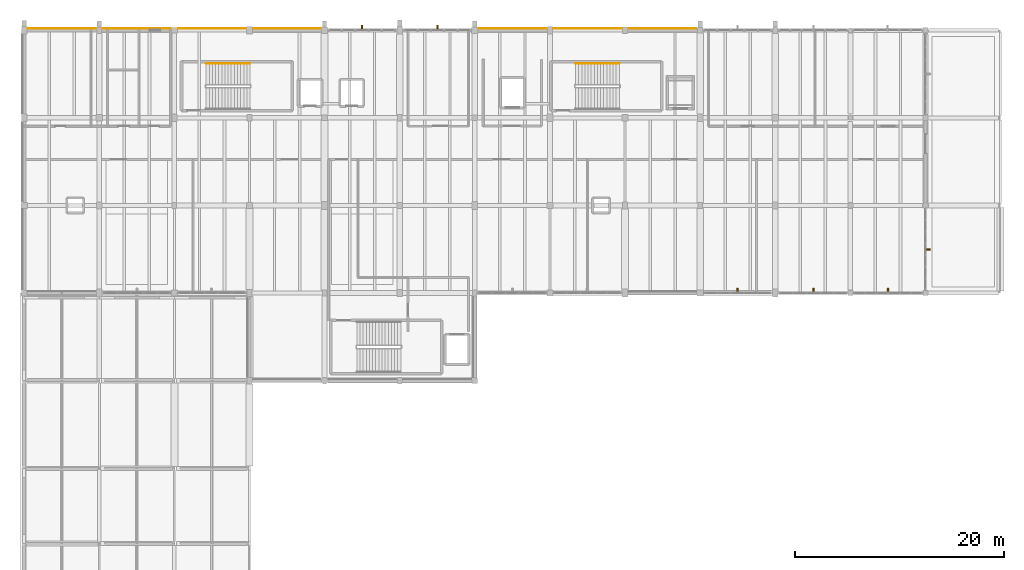
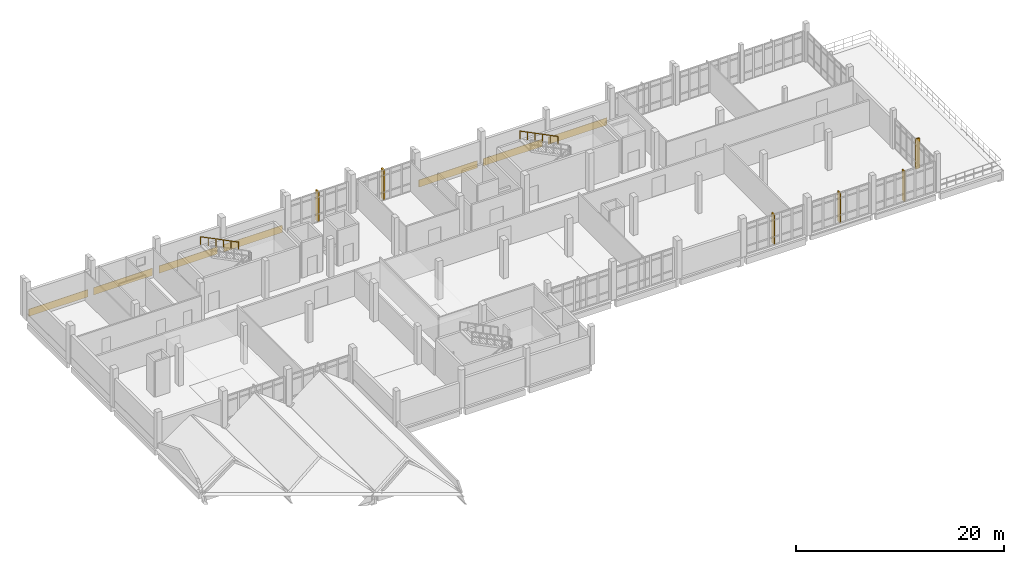
# One storey, part 40 of 41: 7 coverings, 6 shading devices, 2 railings.
"""IFC4 building model written with IfcOpenShell, lengths in metres."""

from ifc_helpers import new_model, si_unit, direction, frame, origin, origin_2d, place, context, subcontext, project, spatial, rectangle, circle, extrude, material, layer, layer_set, type_object, element, save


model = new_model("IFC4")

# Units and contexts
model_context = context("Model", 3, precision=1e-05, world=origin(), true_north=direction((0.0, 1.0)))
body_context = subcontext(model_context, "Body", "Model", "MODEL_VIEW")
ifc_project = project(units=[si_unit("LENGTHUNIT", "METRE"), si_unit("AREAUNIT", "SQUARE_METRE"), si_unit("VOLUMEUNIT", "CUBIC_METRE"), si_unit("PLANEANGLEUNIT", "RADIAN"), si_unit("MASSUNIT", "GRAM", prefix="KILO")], contexts=[model_context])

# Site, building, storey
site_placement = place(None, origin())
site = spatial("IfcSite", under=ifc_project, at=site_placement, CompositionType="ELEMENT")
building_placement = place(site_placement, origin())
building = spatial("IfcBuilding", under=site, at=building_placement, Name="Kalluvel Institute of Natural Sciences", CompositionType="ELEMENT")
storey_placement = place(building_placement, frame((0.0, 0.0, 32.39990234375)))
storey = spatial("IfcBuildingStorey", under=building, at=storey_placement, Name="L07", CompositionType="ELEMENT", Elevation=32.39990234375)

# Coverings
ifc_material_1 = material(Name="Sadarahalli Grey Granite Ashlar Concrete M40", Category="masonry")
ifc_layer = layer(ifc_material_1, 0.044921875)
ifc_layer_set = layer_set([ifc_layer], Name="Sadarahalli Grey Granite Ashlar Concrete M40")
covering_type = type_object("IfcCoveringType", Name="COV-CLAD-STONE", PredefinedType="CLADDING", material=ifc_layer_set)
covering_1_placement = place(storey_placement, frame((17.612548828125, 128.179931640625, 0.025146484375), z_axis=(0.0, 0.0, 1.0), x_axis=(1.0, 0.0, 0.0)))
element("IfcCovering", 1, at=covering_1_placement, inside=storey, type_object=covering_type, Name="L07 Sadarahalli granite plinth spandrel cladding 83", PredefinedType="CLADDING", context=body_context, shape_type="SweptSolid", body=[
    extrude(rectangle(XDim=6.56494140625, YDim=0.044921875, at=origin_2d()), origin(), (0.0, 0.0, 1.0), 0.85009765625),
])
covering_2_placement = place(storey_placement, frame((24.77490234375, 128.179931640625, 0.025146484375), z_axis=(0.0, 0.0, 1.0), x_axis=(1.0, 0.0, 0.0)))
element("IfcCovering", 2, at=covering_2_placement, inside=storey, type_object=covering_type, Name="L07 Sadarahalli granite plinth spandrel cladding 84", PredefinedType="CLADDING", context=body_context, shape_type="SweptSolid", body=[
    extrude(rectangle(XDim=6.5400390625, YDim=0.044921875, at=origin_2d()), origin(), (0.0, 0.0, 1.0), 0.85009765625),
])
covering_3_placement = place(storey_placement, frame((32.0, 128.179931640625, 0.025146484375), z_axis=(0.0, 0.0, 1.0), x_axis=(1.0, 0.0, 0.0)))
element("IfcCovering", 3, at=covering_3_placement, inside=storey, type_object=covering_type, Name="L07 Sadarahalli granite plinth spandrel cladding 85", PredefinedType="CLADDING", context=body_context, shape_type="SweptSolid", body=[
    extrude(rectangle(XDim=6.489990234375, YDim=0.044921875, at=origin_2d()), origin(), (0.0, 0.0, 1.0), 0.85009765625),
])
covering_4_placement = place(storey_placement, frame((39.1875, 128.179931640625, 0.025146484375), z_axis=(0.0, 0.0, 1.0), x_axis=(1.0, 0.0, 0.0)))
element("IfcCovering", 4, at=covering_4_placement, inside=storey, type_object=covering_type, Name="L07 Sadarahalli granite plinth spandrel cladding 86", PredefinedType="CLADDING", context=body_context, shape_type="SweptSolid", body=[
    extrude(rectangle(XDim=6.465087890625, YDim=0.044921875, at=origin_2d()), origin(), (0.0, 0.0, 1.0), 0.85009765625),
])
covering_5_placement = place(storey_placement, frame((60.824951171875, 128.179931640625, 0.025146484375), z_axis=(0.0, 0.0, 1.0), x_axis=(1.0, 0.0, 0.0)))
element("IfcCovering", 5, at=covering_5_placement, inside=storey, type_object=covering_type, Name="L07 Sadarahalli granite plinth spandrel cladding 87", PredefinedType="CLADDING", context=body_context, shape_type="SweptSolid", body=[
    extrude(rectangle(XDim=6.489990234375, YDim=0.044921875, at=origin_2d()), origin(), (0.0, 0.0, 1.0), 0.85009765625),
])
covering_6_placement = place(storey_placement, frame((68.012451171875, 128.179931640625, 0.025146484375), z_axis=(0.0, 0.0, 1.0), x_axis=(1.0, 0.0, 0.0)))
element("IfcCovering", 6, at=covering_6_placement, inside=storey, type_object=covering_type, Name="L07 Sadarahalli granite plinth spandrel cladding 88", PredefinedType="CLADDING", context=body_context, shape_type="SweptSolid", body=[
    extrude(rectangle(XDim=6.56494140625, YDim=0.044921875, at=origin_2d()), origin(), (0.0, 0.0, 1.0), 0.85009765625),
])
covering_7_placement = place(storey_placement, frame((75.175048828125, 128.179931640625, 0.025146484375), z_axis=(0.0, 0.0, 1.0), x_axis=(1.0, 0.0, 0.0)))
element("IfcCovering", 7, at=covering_7_placement, inside=storey, type_object=covering_type, Name="L07 Sadarahalli granite plinth spandrel cladding 89", PredefinedType="CLADDING", context=body_context, shape_type="SweptSolid", body=[
    extrude(rectangle(XDim=6.5400390625, YDim=0.044921875, at=origin_2d()), origin(), (0.0, 0.0, 1.0), 0.85009765625),
])

# Railings
ifc_material_2 = material(Name="Galvanized Fire-Rated Steel", Category="steel")
railing_type = type_object("IfcRailingType", Name="RL-HR-STAIR", PredefinedType="HANDRAIL", material=ifc_material_2)
for number, where, name in (
    (8, (35.64990234375, 124.820068359375, 2.400146484375), "L07 ST1 stair handrail 2"),
    (9, (71.050048828125, 124.820068359375, 2.400146484375), "L07 ST2 stair handrail 2"),
):
    element("IfcRailing", number, at=place(storey_placement, frame(where)), inside=storey, type_object=railing_type, Name=name, PredefinedType="HANDRAIL", context=body_context, shape_type="SweptSolid", body=[
        extrude(circle(Radius=0.02392578125, at=origin_2d()), frame((0.0, 0.0, 0.89599609375), z_axis=(-0.894437589381, 0.0, 0.447192798132), x_axis=(0.0, -1.0, 0.0)), (0.0, 0.0, 1.0), 4.695556640625),
        extrude(circle(Radius=0.02099609375, at=origin_2d()), origin(), (0.0, 0.0, 1.0), 0.871826171875),
        extrude(circle(Radius=0.02099609375, at=origin_2d()), frame((-0.840087890625, 0.0, 0.419921875)), (0.0, 0.0, 1.0), 0.871826171875),
        extrude(circle(Radius=0.02099609375, at=origin_2d()), frame((-1.679931640625, 0.0, 0.83984375)), (0.0, 0.0, 1.0), 0.871826171875),
        extrude(circle(Radius=0.02099609375, at=origin_2d()), frame((-2.52001953125, 0.0, 1.260009765625)), (0.0, 0.0, 1.0), 0.871826171875),
        extrude(circle(Radius=0.02099609375, at=origin_2d()), frame((-3.35986328125, 0.0, 1.679931640625)), (0.0, 0.0, 1.0), 0.871826171875),
        extrude(circle(Radius=0.02099609375, at=origin_2d()), frame((-4.199951171875, 0.0, 2.099853515625)), (0.0, 0.0, 1.0), 0.871826171875),
    ])

# Shading devices
shading_device_type = type_object("IfcShadingDeviceType", Name="SHD-FIN-STONE", PredefinedType="USERDEFINED", material=ifc_material_1)
for number, where, z_axis, x_axis, name in (
    (10, (46.362548828125, 128.219970703125, 0.0), (0.0, 0.0, 1.0), (1.0, 0.0, 0.0), "L07 monsoon lancet shading fin 90"),
    (11, (53.637451171875, 128.219970703125, 0.0), (0.0, 0.0, 1.0), (1.0, 0.0, 0.0), "L07 monsoon lancet shading fin 91"),
    (12, (82.362548828125, 103.02001953125, 0.0), (0.0, 0.0, 1.0), (1.0, 0.0, 0.0), "L07 monsoon lancet shading fin 99"),
    (13, (89.66259765625, 103.02001953125, 0.0), (0.0, 0.0, 1.0), (1.0, 0.0, 0.0), "L07 monsoon lancet shading fin 100"),
    (14, (96.8125, 103.02001953125, 0.0), (0.0, 0.0, 1.0), (1.0, 0.0, 0.0), "L07 monsoon lancet shading fin 101"),
    (15, (100.6201171875, 107.0, 0.0), (0.0, 0.0, 1.0), (0.0, 1.0, 0.0), "L07 monsoon lancet shading fin 102"),
):
    element("IfcShadingDevice", number, at=place(storey_placement, frame(where, z_axis=z_axis, x_axis=x_axis)), inside=storey, type_object=shading_device_type, Name=name, ObjectType="MONSOON FIN", PredefinedType="USERDEFINED", context=body_context, shape_type="SweptSolid", body=[
        extrude(rectangle(XDim=0.139892578125, YDim=0.47998046875, at=origin_2d()), origin(), (0.0, 0.0, 1.0), 3.530029296875),
    ])

save(model, "model.ifc")
